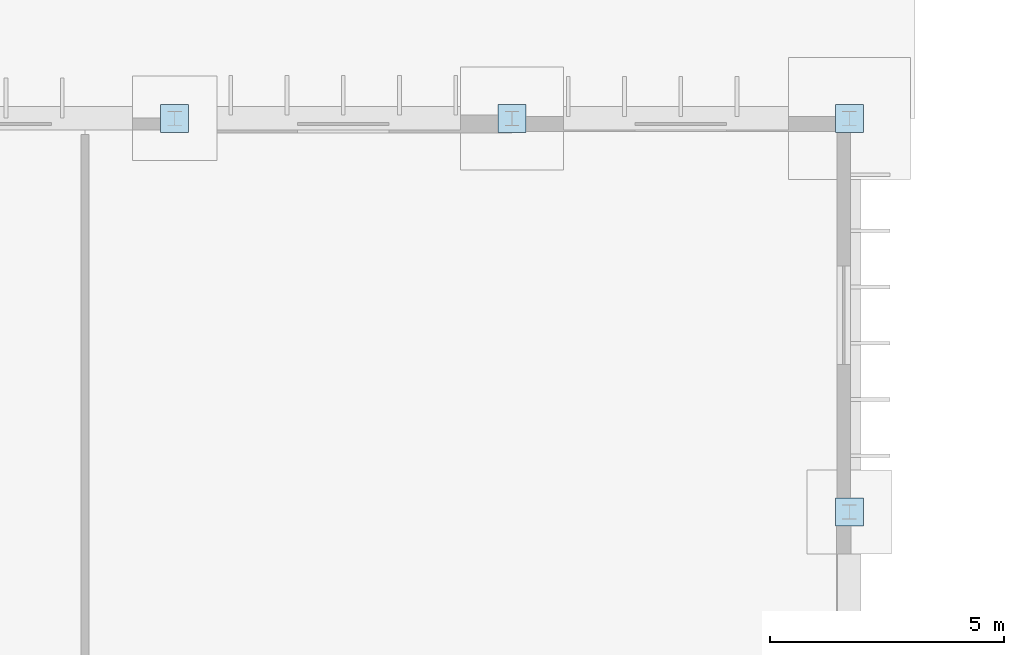
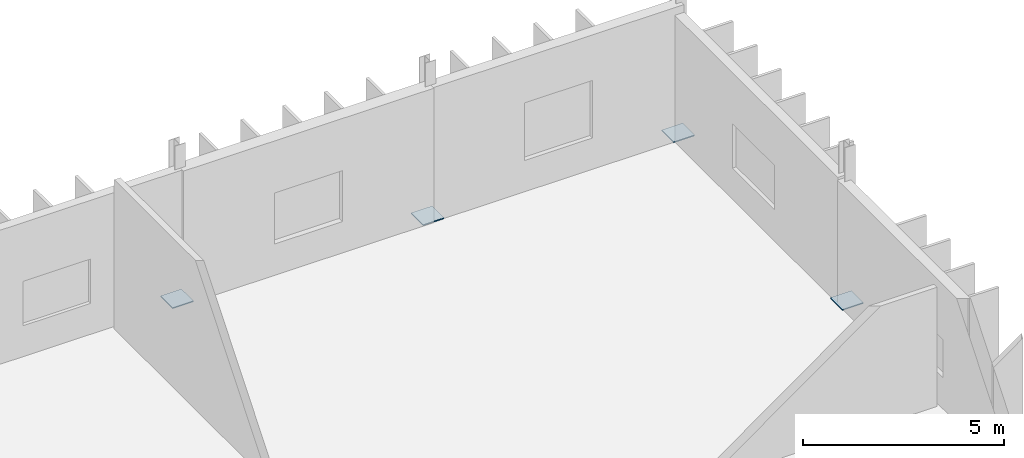
# One storey, part 87 of 118: 4 plates.
"""IFC4 building model written with IfcOpenShell, lengths in metres."""

from ifc_helpers import new_model, si_unit, direction, frame, origin, origin_2d, place, context, subcontext, project, spatial, rectangle, extrude, material, layer, layer_set, type_object, element, save


model = new_model("IFC4")

# Units and contexts
model_context = context("Model", 3, precision=1e-05, world=origin(), true_north=direction((0.0, 1.0)))
body_context = subcontext(model_context, "Body", "Model", "MODEL_VIEW")
ifc_project = project(units=[si_unit("LENGTHUNIT", "METRE"), si_unit("AREAUNIT", "SQUARE_METRE"), si_unit("VOLUMEUNIT", "CUBIC_METRE"), si_unit("PLANEANGLEUNIT", "RADIAN"), si_unit("MASSUNIT", "GRAM", prefix="KILO")], contexts=[model_context])

# Site, building, storey
site_placement = place(None, origin())
site = spatial("IfcSite", under=ifc_project, at=site_placement, CompositionType="ELEMENT")
building_placement = place(site_placement, origin())
building = spatial("IfcBuilding", under=site, at=building_placement, Name="Qelthora Terrace Specialist Clinic", CompositionType="ELEMENT")
storey_placement = place(building_placement, origin())
storey = spatial("IfcBuildingStorey", under=building, at=storey_placement, Name="L00", CompositionType="ELEMENT", Elevation=0.0)

# Plates
ifc_material = material(Name="Steel S355", Category="steel")
ifc_layer = layer(ifc_material, 0.030029296875)
ifc_layer_set = layer_set([ifc_layer], Name="Steel S355")
plate_type = type_object("IfcPlateType", Name="PLT-BASE-600X600X30", PredefinedType="USERDEFINED", material=ifc_layer_set)
for number, where, z_axis, x_axis, name in (
    (1, (129.60009765625, 109.199951171875, 0.0), (0.0, 0.0, 1.0), (1.0, 0.0, 0.0), "Steel column base plate BPLT-181"),
    (2, (136.800048828125, 109.199951171875, 0.0), (0.0, 0.0, 1.0), (1.0, 0.0, 0.0), "Steel column base plate BPLT-189"),
    (3, (144.0, 100.800048828125, 0.0), (0.0, 0.0, 1.0), (1.0, 0.0, 0.0), "Steel column base plate BPLT-201"),
    (4, (144.0, 109.199951171875, 0.0), (0.0, 0.0, 1.0), (1.0, 0.0, 0.0), "Steel column base plate BPLT-202"),
):
    element("IfcPlate", number, at=place(storey_placement, frame(where, z_axis=z_axis, x_axis=x_axis)), inside=storey, type_object=plate_type, Name=name, ObjectType="GUSSET PLATE", PredefinedType="USERDEFINED", context=body_context, shape_type="SweptSolid", body=[
        extrude(rectangle(XDim=0.60009765625, YDim=0.60009765625, at=origin_2d()), origin(), (0.0, 0.0, 1.0), 0.030029296875),
    ])

save(model, "model.ifc")
